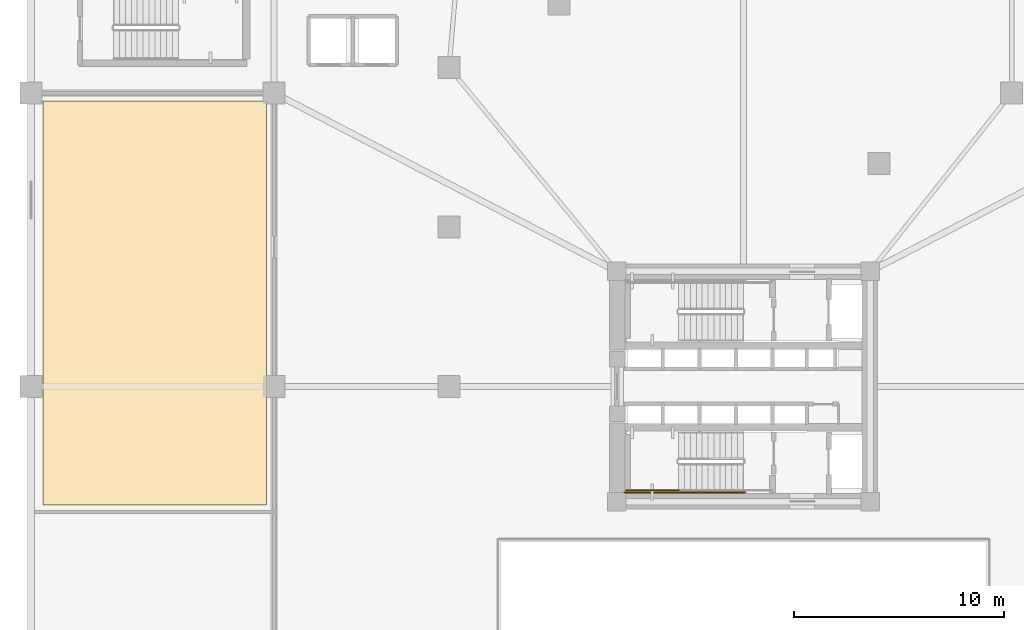
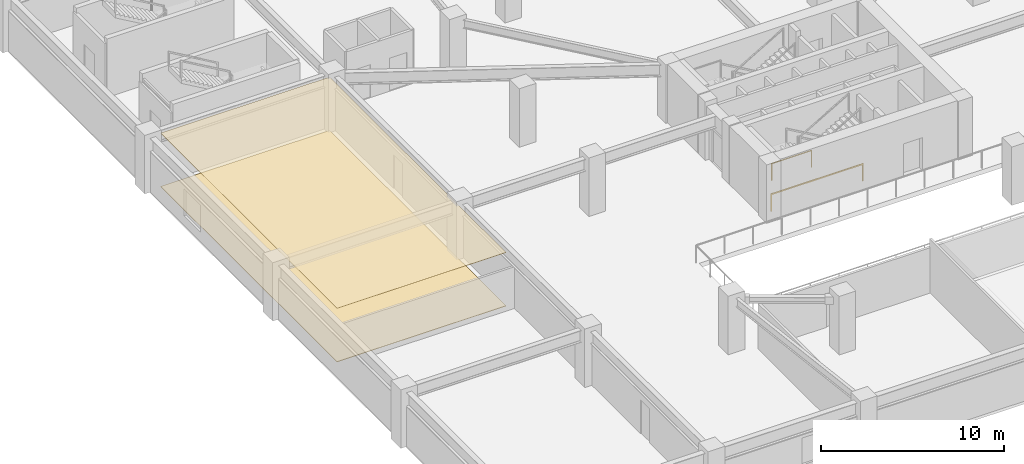
# One storey, part 8 of 16: 2 coverings, 2 railings.
"""IFC4 building model written with IfcOpenShell, lengths in metres."""

from ifc_helpers import new_model, si_unit, direction, frame, origin, origin_2d, place, context, subcontext, project, spatial, polyline, rectangle, outline, extrude, material, layer, layer_set, type_object, element, save


model = new_model("IFC4")

# Units and contexts
model_context = context("Model", 3, precision=1e-05, world=origin(), true_north=direction((0.0, 1.0)))
body_context = subcontext(model_context, "Body", "Model", "MODEL_VIEW")
ifc_project = project(units=[si_unit("LENGTHUNIT", "METRE"), si_unit("AREAUNIT", "SQUARE_METRE"), si_unit("VOLUMEUNIT", "CUBIC_METRE"), si_unit("PLANEANGLEUNIT", "RADIAN"), si_unit("MASSUNIT", "GRAM", prefix="KILO")], contexts=[model_context])

# Site, building, storey
site_placement = place(None, origin())
site = spatial("IfcSite", under=ifc_project, at=site_placement, CompositionType="ELEMENT")
building_placement = place(site_placement, origin())
building = spatial("IfcBuilding", under=site, at=building_placement, Name="Yunling Apex Tower", CompositionType="ELEMENT")
storey_placement = place(building_placement, frame((0.0, 0.0, 4.5)))
storey = spatial("IfcBuildingStorey", under=building, at=storey_placement, Name="L02", CompositionType="ELEMENT", Elevation=4.5)

# Coverings
ifc_material_1 = material(Name="Acoustic mineral fibre ceiling")
ifc_layer_1 = layer(ifc_material_1, 0.02490234375)
ifc_layer_set_1 = layer_set([ifc_layer_1], Name="Acoustic mineral fibre ceiling")
covering_type_1 = type_object("IfcCoveringType", Name="CV-CLG-1", PredefinedType="CEILING", material=ifc_layer_set_1)
covering_1_placement = place(storey_placement, frame((0.0, 0.0, 3.56494140625)))
element("IfcCovering", 1, at=covering_1_placement, inside=storey, type_object=covering_type_1, Name="CV-CL-SP-L02-W2", PredefinedType="CEILING", context=body_context, shape_type="SweptSolid", body=[
    extrude(outline(polyline([(-22.77001953125, -5.659912109375), (-33.429931640625, -5.659912109375), (-33.429931640625, 13.6298828125), (-22.77001953125, 13.6298828125), (-22.77001953125, -5.659912109375)])), origin(), (0.0, 0.0, 1.0), 0.025146484375),
])
ifc_material_2 = material(Name="Polished granite stone", Category="masonry")
ifc_layer_2 = layer(ifc_material_2, 0.030029296875)
ifc_layer_set_2 = layer_set([ifc_layer_2], Name="Polished granite stone")
covering_type_2 = type_object("IfcCoveringType", Name="CV-FLR-1", PredefinedType="FLOORING", material=ifc_layer_set_2)
covering_2_placement = place(storey_placement, origin())
element("IfcCovering", 2, at=covering_2_placement, inside=storey, type_object=covering_type_2, Name="CV-FL-SP-L02-W2", PredefinedType="FLOORING", context=body_context, shape_type="SweptSolid", body=[
    extrude(outline(polyline([(-22.77001953125, -5.659912109375), (-33.429931640625, -5.659912109375), (-33.429931640625, 13.6298828125), (-22.77001953125, 13.6298828125), (-22.77001953125, -5.659912109375)])), origin(), (0.0, 0.0, 1.0), 0.030029296875),
])

# Railings
ifc_material_3 = material(Name="Steel Q355B", Category="steel")
railing_type = type_object("IfcRailingType", Name="RL-GRD-1150", PredefinedType="GUARDRAIL", material=ifc_material_3)
railing_1_placement = place(storey_placement, frame((-3.090087890625, -4.9599609375, 1.949951171875)))
element("IfcRailing", 3, at=railing_1_placement, inside=storey, type_object=railing_type, Name="L02 ST-2 stair guard 3", PredefinedType="GUARDRAIL", context=body_context, shape_type="SweptSolid", body=[
    extrude(rectangle(XDim=0.0439453125, YDim=0.0439453125, at=origin_2d()), origin(), (0.0, 0.0, 1.0), 1.14990234375),
    extrude(rectangle(XDim=0.0439453125, YDim=0.0439453125, at=origin_2d()), frame((-2.510009765625, 0.0, 0.0)), (0.0, 0.0, 1.0), 1.14990234375),
    extrude(rectangle(XDim=0.050048828125, YDim=0.050048828125, at=origin_2d()), frame((-0.038330078125, 0.0, 1.125), z_axis=(-1.0, 0.0, 0.0), x_axis=(0.0, -1.0, 0.0)), (0.0, 0.0, 1.0), 2.433349609375),
])
railing_2_placement = place(storey_placement, frame((0.090087890625, -5.06005859375, 0.0)))
element("IfcRailing", 4, at=railing_2_placement, inside=storey, type_object=railing_type, Name="L02 ST-2 stair guard 7", PredefinedType="GUARDRAIL", context=body_context, shape_type="SweptSolid", body=[
    extrude(rectangle(XDim=0.0439453125, YDim=0.0439453125, at=origin_2d()), origin(), (0.0, 0.0, 1.0), 1.14990234375),
    extrude(rectangle(XDim=0.0439453125, YDim=0.0439453125, at=origin_2d()), frame((-5.7900390625, 0.0, 0.0)), (0.0, 0.0, 1.0), 1.14990234375),
    extrude(rectangle(XDim=0.050048828125, YDim=0.050048828125, at=origin_2d()), frame((-0.038330078125, 0.0, 1.125), z_axis=(-1.0, 0.0, 0.0), x_axis=(0.0, -1.0, 0.0)), (0.0, 0.0, 1.0), 5.71337890625),
])

save(model, "model.ifc")
